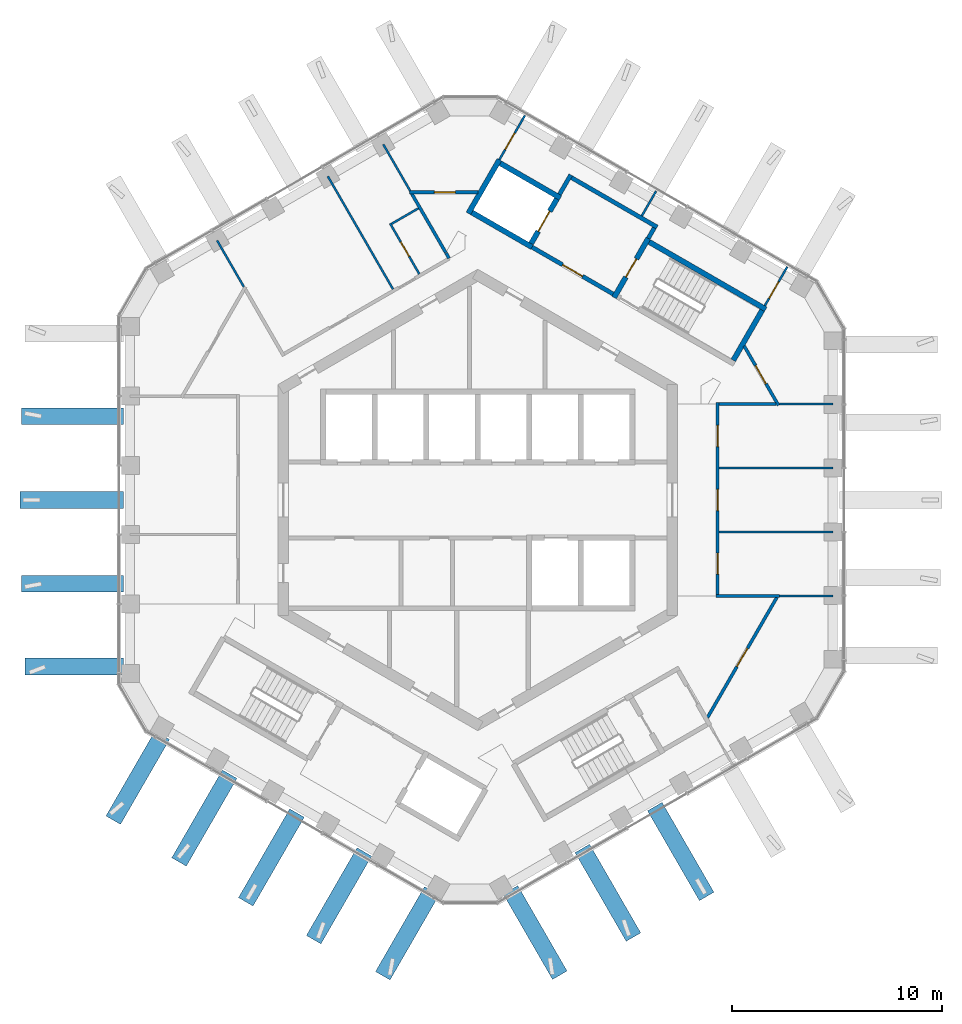
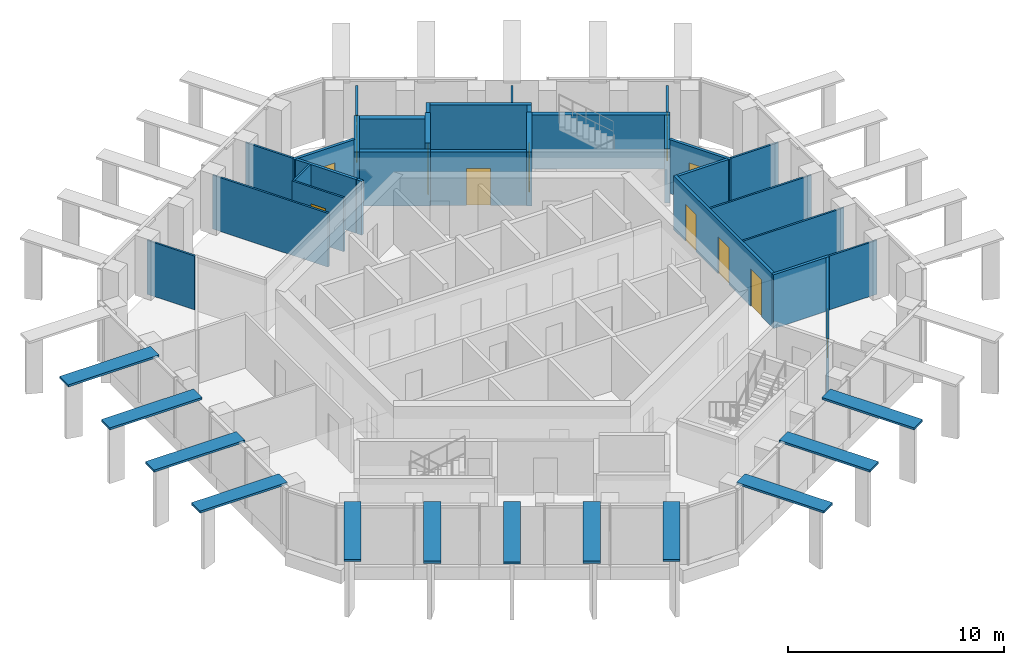
# One storey, part 13 of 18: 31 walls, 12 discrete accessories, 12 doors, 12 openings.
"""IFC4 building model written with IfcOpenShell, lengths in metres."""

from ifc_helpers import new_model, si_unit, direction, frame, frame_2d, origin, origin_2d, place, context, subcontext, project, spatial, rectangle, extrude, material, layer, layer_set, type_object, element, fill, save


model = new_model("IFC4")

# Units and contexts
model_context = context("Model", 3, precision=1e-05, world=origin(), true_north=direction((0.0, 1.0)))
body_context = subcontext(model_context, "Body", "Model", "MODEL_VIEW")
ifc_project = project(units=[si_unit("LENGTHUNIT", "METRE"), si_unit("AREAUNIT", "SQUARE_METRE"), si_unit("VOLUMEUNIT", "CUBIC_METRE"), si_unit("PLANEANGLEUNIT", "RADIAN"), si_unit("MASSUNIT", "GRAM", prefix="KILO")], contexts=[model_context])

# Site, building, storey
site_placement = place(None, origin())
site = spatial("IfcSite", under=ifc_project, at=site_placement, CompositionType="ELEMENT")
building_placement = place(site_placement, origin())
building = spatial("IfcBuilding", under=site, at=building_placement, Name="Ayvan Gate Tower", CompositionType="ELEMENT")
storey_placement = place(building_placement, frame((0.0, 0.0, 239.300048828125)))
storey = spatial("IfcBuildingStorey", under=building, at=storey_placement, Name="L64", CompositionType="ELEMENT", Elevation=239.300048828125)

# Wall, opening, door
ifc_material_1 = material(Name="Plasterboard on steel stud", Category="steel")
ifc_layer_1 = layer(ifc_material_1, 0.14990234375)
ifc_layer_set_1 = layer_set([ifc_layer_1], Name="Plasterboard on steel stud")
wall_type_1 = type_object("IfcWallType", Name="WT-CORR-150", PredefinedType="PARTITIONING", material=ifc_layer_set_1)
wall_1_placement = place(storey_placement, frame((-3.251708984375, 14.63037109375, 0.0), z_axis=(0.0, 0.0, 1.0), x_axis=(1.0, 0.0, 0.0)))
wall_1 = element("IfcWall", 1, at=wall_1_placement, inside=storey, type_object=wall_type_1, Name="IW-L64-026", PredefinedType="PARTITIONING", context=body_context, shape_type="SweptSolid", body=[
    extrude(rectangle(XDim=3.259765625, YDim=0.14990234375, at=frame_2d((1.6298828125, 0.0))), origin(), (0.0, 0.0, 1.0), 3.050048828125),
])
opening_1_placement = place(wall_1_placement, frame((1.1845703125, 0.0, 0.0)))
opening_1 = element("IfcOpeningElement", 2, at=opening_1_placement, cuts=wall_1, Name="Opening L64-D27", PredefinedType="OPENING", context=body_context, shape_type="SweptSolid", body=[
    extrude(rectangle(XDim=1.0, YDim=2.10009765625, at=frame_2d((0.5, 1.050048828125))), frame((0.0, 0.0849609375, 0.0), z_axis=(0.0, -1.0, 0.0), x_axis=(1.0, 0.0, 0.0)), (0.0, 0.0, 1.0), 0.169921875),
])
ifc_material_2 = material(Name="Timber door leaf", Category="wood")
door_type_1 = type_object("IfcDoorType", Name="DT-1000", OperationType="NOTDEFINED", PredefinedType="DOOR", material=ifc_material_2)
door_1_placement = place(opening_1_placement, origin())
door_1 = element("IfcDoor", 3, at=door_1_placement, inside=storey, type_object=door_type_1, Name="ID-L64-027", OperationType="SINGLE_SWING_LEFT", OverallHeight=2.10009765625, OverallWidth=1.0, PredefinedType="DOOR", context=body_context, shape_type="SweptSolid", body=[
    extrude(rectangle(XDim=1.0, YDim=2.10009765625, at=frame_2d((0.5, 1.050048828125))), frame((0.0, 0.02490234375, 0.0), z_axis=(0.0, -1.0, 0.0), x_axis=(1.0, 0.0, 0.0)), (0.0, 0.0, 1.0), 0.050048828125),
])
fill(opening_1, door_1)

# Walls
wall_2_placement = place(storey_placement, frame((-3.13916015625, 14.5654296875, 0.0), z_axis=(0.0, 0.0, 1.0), x_axis=(0.4999707335, -0.866042300147, 0.0)))
element("IfcWall", 4, at=wall_2_placement, inside=storey, type_object=wall_type_1, Name="IW-L64-028", PredefinedType="PARTITIONING", context=body_context, shape_type="SweptSolid", body=[
    extrude(rectangle(XDim=3.234619140625, YDim=0.14990234375, at=frame_2d((1.6171875, 0.0))), origin(), (0.0, 0.0, 1.0), 3.050048828125),
])
wall_3_placement = place(storey_placement, frame((-1.511962890625, 11.74658203125, 0.0), z_axis=(0.0, 0.0, 1.0), x_axis=(0.500502949238, -0.865734831114, 0.0)))
element("IfcWall", 5, at=wall_3_placement, inside=storey, type_object=wall_type_1, Name="IW-L64-032", PredefinedType="PARTITIONING", context=body_context, shape_type="SweptSolid", body=[
    extrude(rectangle(XDim=0.288818359375, YDim=0.14990234375, at=frame_2d((0.14453125, 0.0))), origin(), (0.0, 0.0, 1.0), 3.050048828125),
])
wall_4_placement = place(storey_placement, frame((11.324951171875, -4.564208984375, 0.0), z_axis=(0.0, 0.0, 1.0), x_axis=(1.0, 0.0, 0.0)))
element("IfcWall", 6, at=wall_4_placement, inside=storey, type_object=wall_type_1, Name="IW-L64-071", PredefinedType="PARTITIONING", context=body_context, shape_type="SweptSolid", body=[
    extrude(rectangle(XDim=3.008544921875, YDim=0.14990234375, at=frame_2d((1.50439453125, 0.0))), origin(), (0.0, 0.0, 1.0), 3.050048828125),
])

# Wall, openings, doors
wall_5_placement = place(storey_placement, frame((11.39990234375, -4.489013671875, 0.0), z_axis=(0.0, 0.0, 1.0), x_axis=(0.0, 1.0, 0.0)))
wall_5 = element("IfcWall", 7, at=wall_5_placement, inside=storey, type_object=wall_type_1, Name="IW-L64-073", PredefinedType="PARTITIONING", context=body_context, shape_type="SweptSolid", body=[
    extrude(rectangle(XDim=9.128173828125, YDim=0.14990234375, at=frame_2d((4.56396484375, 0.0))), origin(), (0.0, 0.0, 1.0), 3.050048828125),
])
opening_2_placement = place(wall_5_placement, frame((0.968994140625, 0.0, 0.0)))
opening_2 = element("IfcOpeningElement", 8, at=opening_2_placement, cuts=wall_5, Name="Opening L64-D22", PredefinedType="OPENING", context=body_context, shape_type="SweptSolid", body=[
    extrude(rectangle(XDim=1.0, YDim=2.10009765625, at=frame_2d((0.5, 1.050048828125))), frame((0.0, 0.0849609375, 0.0), z_axis=(0.0, -1.0, 0.0), x_axis=(1.0, 0.0, 0.0)), (0.0, 0.0, 1.0), 0.169921875),
])
opening_3_placement = place(wall_5_placement, frame((3.989013671875, 0.0, 0.0)))
opening_3 = element("IfcOpeningElement", 9, at=opening_3_placement, cuts=wall_5, Name="Opening L64-D23", PredefinedType="OPENING", context=body_context, shape_type="SweptSolid", body=[
    extrude(rectangle(XDim=1.0, YDim=2.10009765625, at=frame_2d((0.5, 1.050048828125))), frame((0.0, 0.0849609375, 0.0), z_axis=(0.0, -1.0, 0.0), x_axis=(1.0, 0.0, 0.0)), (0.0, 0.0, 1.0), 0.169921875),
])
opening_4_placement = place(wall_5_placement, frame((7.03173828125, 0.0, 0.0)))
opening_4 = element("IfcOpeningElement", 10, at=opening_4_placement, cuts=wall_5, Name="Opening L64-D24", PredefinedType="OPENING", context=body_context, shape_type="SweptSolid", body=[
    extrude(rectangle(XDim=1.0, YDim=2.10009765625, at=frame_2d((0.5, 1.050048828125))), frame((0.0, 0.0849609375, 0.0), z_axis=(0.0, -1.0, 0.0), x_axis=(1.0, 0.0, 0.0)), (0.0, 0.0, 1.0), 0.169921875),
])
door_2_placement = place(opening_2_placement, origin())
door_2 = element("IfcDoor", 11, at=door_2_placement, inside=storey, type_object=door_type_1, Name="ID-L64-022", OperationType="SINGLE_SWING_RIGHT", OverallHeight=2.10009765625, OverallWidth=1.0, PredefinedType="DOOR", context=body_context, shape_type="SweptSolid", body=[
    extrude(rectangle(XDim=1.0, YDim=2.10009765625, at=frame_2d((0.5, 1.050048828125))), frame((0.0, 0.02490234375, 0.0), z_axis=(0.0, -1.0, 0.0), x_axis=(1.0, 0.0, 0.0)), (0.0, 0.0, 1.0), 0.050048828125),
])
fill(opening_2, door_2)
door_3_placement = place(opening_3_placement, origin())
door_3 = element("IfcDoor", 12, at=door_3_placement, inside=storey, type_object=door_type_1, Name="ID-L64-023", OperationType="SINGLE_SWING_LEFT", OverallHeight=2.10009765625, OverallWidth=1.0, PredefinedType="DOOR", context=body_context, shape_type="SweptSolid", body=[
    extrude(rectangle(XDim=1.0, YDim=2.10009765625, at=frame_2d((0.5, 1.050048828125))), frame((0.0, 0.02490234375, 0.0), z_axis=(0.0, -1.0, 0.0), x_axis=(1.0, 0.0, 0.0)), (0.0, 0.0, 1.0), 0.050048828125),
])
fill(opening_3, door_3)
door_4_placement = place(opening_4_placement, origin())
door_4 = element("IfcDoor", 13, at=door_4_placement, inside=storey, type_object=door_type_1, Name="ID-L64-024", OperationType="SINGLE_SWING_RIGHT", OverallHeight=2.10009765625, OverallWidth=1.0, PredefinedType="DOOR", context=body_context, shape_type="SweptSolid", body=[
    extrude(rectangle(XDim=1.0, YDim=2.10009765625, at=frame_2d((0.5, 1.050048828125))), frame((0.0, 0.02490234375, 0.0), z_axis=(0.0, -1.0, 0.0), x_axis=(1.0, 0.0, 0.0)), (0.0, 0.0, 1.0), 0.050048828125),
])
fill(opening_4, door_4)

# Wall, opening, door
wall_6_placement = place(storey_placement, frame((12.666259765625, 7.322021484375, 0.0), z_axis=(0.0, 0.0, 1.0), x_axis=(0.50000555188, -0.866022198381, 0.0)))
wall_6 = element("IfcWall", 14, at=wall_6_placement, inside=storey, type_object=wall_type_1, Name="IW-L64-077", PredefinedType="PARTITIONING", context=body_context, shape_type="SweptSolid", body=[
    extrude(rectangle(XDim=3.259765625, YDim=0.14990234375, at=frame_2d((1.6298828125, 0.0))), origin(), (0.0, 0.0, 1.0), 3.050048828125),
])
opening_5_placement = place(wall_6_placement, frame((1.074951171875, 0.0, 0.0)))
opening_5 = element("IfcOpeningElement", 15, at=opening_5_placement, cuts=wall_6, Name="Opening L64-D25", PredefinedType="OPENING", context=body_context, shape_type="SweptSolid", body=[
    extrude(rectangle(XDim=1.0, YDim=2.10009765625, at=frame_2d((0.5, 1.050048828125))), frame((0.0, 0.0849609375, 0.0), z_axis=(0.0, -1.0, 0.0), x_axis=(1.0, 0.0, 0.0)), (0.0, 0.0, 1.0), 0.169921875),
])
door_5_placement = place(opening_5_placement, origin())
door_5 = element("IfcDoor", 16, at=door_5_placement, inside=storey, type_object=door_type_1, Name="ID-L64-025", OperationType="SINGLE_SWING_LEFT", OverallHeight=2.10009765625, OverallWidth=1.0, PredefinedType="DOOR", context=body_context, shape_type="SweptSolid", body=[
    extrude(rectangle(XDim=1.0, YDim=2.10009765625, at=frame_2d((0.5, 1.050048828125))), frame((0.0, 0.02490234375, 0.0), z_axis=(0.0, -1.0, 0.0), x_axis=(1.0, 0.0, 0.0)), (0.0, 0.0, 1.0), 0.050048828125),
])
fill(opening_5, door_5)

# Wall
wall_7_placement = place(storey_placement, frame((14.18359375, 4.564208984375, 0.0), z_axis=(0.0, 0.0, 1.0), x_axis=(-1.0, 0.0, 0.0)))
element("IfcWall", 17, at=wall_7_placement, inside=storey, type_object=wall_type_1, Name="IW-L64-080", PredefinedType="PARTITIONING", context=body_context, shape_type="SweptSolid", body=[
    extrude(rectangle(XDim=2.708740234375, YDim=0.14990234375, at=frame_2d((1.3544921875, 0.0))), origin(), (0.0, 0.0, 1.0), 3.050048828125),
])

# Wall, opening, door
wall_8_placement = place(storey_placement, frame((14.22119140625, -4.62890625, 0.0), z_axis=(0.0, 0.0, 1.0), x_axis=(-0.500010679957, -0.86601923762, 0.0)))
wall_8 = element("IfcWall", 18, at=wall_8_placement, inside=storey, type_object=wall_type_1, Name="IW-L64-082", PredefinedType="PARTITIONING", context=body_context, shape_type="SweptSolid", body=[
    extrude(rectangle(XDim=6.598876953125, YDim=0.14990234375, at=frame_2d((3.29931640625, 0.0))), origin(), (0.0, 0.0, 1.0), 3.050048828125),
])
opening_6_placement = place(wall_8_placement, frame((2.79931640625, 0.0, 0.0)))
opening_6 = element("IfcOpeningElement", 19, at=opening_6_placement, cuts=wall_8, Name="Opening L64-D32", PredefinedType="OPENING", context=body_context, shape_type="SweptSolid", body=[
    extrude(rectangle(XDim=1.0, YDim=2.10009765625, at=frame_2d((0.5, 1.050048828125))), frame((0.0, 0.0849609375, 0.0), z_axis=(0.0, -1.0, 0.0), x_axis=(1.0, 0.0, 0.0)), (0.0, 0.0, 1.0), 0.169921875),
])
door_6_placement = place(opening_6_placement, origin())
door_6 = element("IfcDoor", 20, at=door_6_placement, inside=storey, type_object=door_type_1, Name="ID-L64-032", OperationType="SINGLE_SWING_RIGHT", OverallHeight=2.10009765625, OverallWidth=1.0, PredefinedType="DOOR", context=body_context, shape_type="SweptSolid", body=[
    extrude(rectangle(XDim=1.0, YDim=2.10009765625, at=frame_2d((0.5, 1.050048828125))), frame((0.0, 0.02490234375, 0.0), z_axis=(0.0, -1.0, 0.0), x_axis=(1.0, 0.0, 0.0)), (0.0, 0.0, 1.0), 0.050048828125),
])
fill(opening_6, door_6)

# Wall
ifc_layer_2 = layer(ifc_material_1, 0.10009765625)
ifc_layer_set_2 = layer_set([ifc_layer_2], Name="Plasterboard on steel stud")
wall_type_2 = type_object("IfcWallType", Name="WT-PART-100", PredefinedType="PARTITIONING", material=ifc_layer_set_2)
wall_9_placement = place(storey_placement, frame((-12.396240234375, 12.343017578125, 0.0), z_axis=(0.0, 0.0, 1.0), x_axis=(0.499943114462, -0.866058244174, 0.0)))
element("IfcWall", 21, at=wall_9_placement, inside=storey, type_object=wall_type_2, Name="IW-L64-003", PredefinedType="PARTITIONING", context=body_context, shape_type="SweptSolid", body=[
    extrude(rectangle(XDim=2.553955078125, YDim=0.10009765625, at=frame_2d((1.27685546875, 0.0))), origin(), (0.0, 0.0, 1.0), 3.050048828125),
])

# Wall, opening, door
wall_10_placement = place(storey_placement, frame((-4.16796875, 13.1474609375, 0.0), z_axis=(0.0, 0.0, 1.0), x_axis=(0.499971228071, -0.866042014628, 0.0)))
wall_10 = element("IfcWall", 22, at=wall_10_placement, inside=storey, type_object=wall_type_2, Name="IW-L64-020", PredefinedType="PARTITIONING", context=body_context, shape_type="SweptSolid", body=[
    extrude(rectangle(XDim=2.775146484375, YDim=0.10009765625, at=frame_2d((1.3876953125, 0.0))), origin(), (0.0, 0.0, 1.0), 3.050048828125),
])
opening_7_placement = place(wall_10_placement, frame((1.012451171875, 0.0, 0.0)))
opening_7 = element("IfcOpeningElement", 23, at=opening_7_placement, cuts=wall_10, Name="Opening L64-D35", PredefinedType="OPENING", context=body_context, shape_type="SweptSolid", body=[
    extrude(rectangle(XDim=0.800048828125, YDim=2.10009765625, at=frame_2d((0.39990234375, 1.050048828125))), frame((0.0, 0.06005859375, 0.0), z_axis=(0.0, -1.0, 0.0), x_axis=(1.0, 0.0, 0.0)), (0.0, 0.0, 1.0), 0.1201171875),
])
door_type_2 = type_object("IfcDoorType", Name="DT-800", OperationType="NOTDEFINED", PredefinedType="DOOR", material=ifc_material_2)
door_7_placement = place(opening_7_placement, origin())
door_7 = element("IfcDoor", 24, at=door_7_placement, inside=storey, type_object=door_type_2, Name="ID-L64-035", OperationType="SINGLE_SWING_LEFT", OverallHeight=2.10009765625, OverallWidth=0.800048828125, PredefinedType="DOOR", context=body_context, shape_type="SweptSolid", body=[
    extrude(rectangle(XDim=0.800048828125, YDim=2.10009765625, at=frame_2d((0.39990234375, 1.050048828125))), frame((0.0, 0.02490234375, 0.0), z_axis=(0.0, -1.0, 0.0), x_axis=(1.0, 0.0, 0.0)), (0.0, 0.0, 1.0), 0.050048828125),
])
fill(opening_7, door_7)

# Walls
wall_11_placement = place(storey_placement, frame((-4.030029296875, 10.022705078125, 0.0), z_axis=(0.0, 0.0, 1.0), x_axis=(-0.499980681017, 0.866036557317, 0.0)))
element("IfcWall", 25, at=wall_11_placement, inside=storey, type_object=wall_type_2, Name="IW-L64-022", PredefinedType="PARTITIONING", context=body_context, shape_type="SweptSolid", body=[
    extrude(rectangle(XDim=6.192626953125, YDim=0.10009765625, at=frame_2d((3.09619140625, 0.0))), origin(), (0.0, 0.0, 1.0), 3.050048828125),
])
wall_12_placement = place(storey_placement, frame((-3.214111328125, 14.6953125, 0.0), z_axis=(0.0, 0.0, 1.0), x_axis=(-0.500056202316, 0.865992952931, 0.0)))
element("IfcWall", 26, at=wall_12_placement, inside=storey, type_object=wall_type_2, Name="IW-L64-025", PredefinedType="PARTITIONING", context=body_context, shape_type="SweptSolid", body=[
    extrude(rectangle(XDim=2.553955078125, YDim=0.10009765625, at=frame_2d((1.27685546875, 0.0))), origin(), (0.0, 0.0, 1.0), 3.050048828125),
])
wall_13_placement = place(storey_placement, frame((-2.822509765625, 13.86669921875, 0.0), z_axis=(0.0, 0.0, 1.0), x_axis=(-0.865962262849, -0.500109347365, 0.0)))
element("IfcWall", 27, at=wall_13_placement, inside=storey, type_object=wall_type_2, Name="IW-L64-027", PredefinedType="PARTITIONING", context=body_context, shape_type="SweptSolid", body=[
    extrude(rectangle(XDim=1.474853515625, YDim=0.10009765625, at=frame_2d((0.7373046875, 0.0))), origin(), (0.0, 0.0, 1.0), 3.050048828125),
])

# Wall, opening, door
wall_14_placement = place(storey_placement, frame((2.24072265625, 18.28125, 0.0), z_axis=(0.0, 0.0, 1.0), x_axis=(-0.499957519001, -0.866049928811, 0.0)))
wall_14 = element("IfcWall", 28, at=wall_14_placement, inside=storey, type_object=wall_type_2, Name="IW-L64-042", PredefinedType="PARTITIONING", context=body_context, shape_type="SweptSolid", body=[
    extrude(rectangle(XDim=2.427490234375, YDim=0.10009765625, at=frame_2d((1.2138671875, 0.0))), origin(), (0.0, 0.0, 1.0), 3.050048828125),
])
opening_8_placement = place(wall_14_placement, frame((0.974365234375, 0.0, 0.0)))
opening_8 = element("IfcOpeningElement", 29, at=opening_8_placement, cuts=wall_14, Name="Opening L64-D28", PredefinedType="OPENING", context=body_context, shape_type="SweptSolid", body=[
    extrude(rectangle(XDim=0.89990234375, YDim=2.10009765625, at=frame_2d((0.449951171875, 1.050048828125))), frame((0.0, 0.06005859375, 0.0), z_axis=(0.0, -1.0, 0.0), x_axis=(1.0, 0.0, 0.0)), (0.0, 0.0, 1.0), 0.1201171875),
])
door_type_3 = type_object("IfcDoorType", Name="DT-900", OperationType="NOTDEFINED", PredefinedType="DOOR", material=ifc_material_2)
door_8_placement = place(opening_8_placement, origin())
door_8 = element("IfcDoor", 30, at=door_8_placement, inside=storey, type_object=door_type_3, Name="ID-L64-028", OperationType="SINGLE_SWING_RIGHT", OverallHeight=2.10009765625, OverallWidth=0.89990234375, PredefinedType="DOOR", context=body_context, shape_type="SweptSolid", body=[
    extrude(rectangle(XDim=0.89990234375, YDim=2.10009765625, at=frame_2d((0.449951171875, 1.050048828125))), frame((0.0, 0.02490234375, 0.0), z_axis=(0.0, -1.0, 0.0), x_axis=(1.0, 0.0, 0.0)), (0.0, 0.0, 1.0), 0.050048828125),
])
fill(opening_8, door_8)

# Walls
wall_15_placement = place(storey_placement, frame((7.800048828125, 13.510009765625, 0.0), z_axis=(0.0, 0.0, 1.0), x_axis=(0.500061029496, 0.865990165521, 0.0)))
element("IfcWall", 31, at=wall_15_placement, inside=storey, type_object=wall_type_2, Name="IW-L64-064", PredefinedType="PARTITIONING", context=body_context, shape_type="SweptSolid", body=[
    extrude(rectangle(XDim=1.352294921875, YDim=0.10009765625, at=frame_2d((0.67626953125, 0.0))), origin(), (0.0, 0.0, 1.0), 3.050048828125),
])
for number, where, z_axis, x_axis, name in (
    (32, (11.47509765625, -1.521484375, 0.0), (0.0, 0.0, 1.0), (1.0, 0.0, 0.0), "IW-L64-072"),
    (33, (11.47509765625, 1.521484375, 0.0), (0.0, 0.0, 1.0), (1.0, 0.0, 0.0), "IW-L64-074"),
):
    element("IfcWall", number, at=place(storey_placement, frame(where, z_axis=z_axis, x_axis=x_axis)), inside=storey, type_object=wall_type_2, Name=name, PredefinedType="PARTITIONING", context=body_context, shape_type="SweptSolid", body=[
        extrude(rectangle(XDim=5.412353515625, YDim=0.10009765625, at=frame_2d((2.7060546875, 0.0))), origin(), (0.0, 0.0, 1.0), 3.050048828125),
    ])

# Wall, opening, door
wall_16_placement = place(storey_placement, frame((13.647705078125, 9.23876953125, 0.0), z_axis=(0.0, 0.0, 1.0), x_axis=(0.500063469175, 0.865988756738, 0.0)))
wall_16 = element("IfcWall", 34, at=wall_16_placement, inside=storey, type_object=wall_type_2, Name="IW-L64-079", PredefinedType="PARTITIONING", context=body_context, shape_type="SweptSolid", body=[
    extrude(rectangle(XDim=2.127685546875, YDim=0.10009765625, at=frame_2d((1.06396484375, 0.0))), origin(), (0.0, 0.0, 1.0), 3.050048828125),
])
opening_9_placement = place(wall_16_placement, frame((0.4033203125, 0.0, 0.0)))
opening_9 = element("IfcOpeningElement", 35, at=opening_9_placement, cuts=wall_16, Name="Opening L64-D26", PredefinedType="OPENING", context=body_context, shape_type="SweptSolid", body=[
    extrude(rectangle(XDim=0.89990234375, YDim=2.10009765625, at=frame_2d((0.449951171875, 1.050048828125))), frame((0.0, 0.06005859375, 0.0), z_axis=(0.0, -1.0, 0.0), x_axis=(1.0, 0.0, 0.0)), (0.0, 0.0, 1.0), 0.1201171875),
])
door_9_placement = place(opening_9_placement, origin())
door_9 = element("IfcDoor", 36, at=door_9_placement, inside=storey, type_object=door_type_3, Name="ID-L64-026", OperationType="SINGLE_SWING_RIGHT", OverallHeight=2.10009765625, OverallWidth=0.89990234375, PredefinedType="DOOR", context=body_context, shape_type="SweptSolid", body=[
    extrude(rectangle(XDim=0.89990234375, YDim=2.10009765625, at=frame_2d((0.449951171875, 1.050048828125))), frame((0.0, 0.02490234375, 0.0), z_axis=(0.0, -1.0, 0.0), x_axis=(1.0, 0.0, 0.0)), (0.0, 0.0, 1.0), 0.050048828125),
])
fill(opening_9, door_9)

# Walls
for number, where, z_axis, x_axis, name in (
    (37, (14.33349609375, 4.564208984375, 0.0), (0.0, 0.0, 1.0), (1.0, 0.0, 0.0), "IW-L64-081"),
    (38, (16.887451171875, -4.564208984375, 0.0), (0.0, 0.0, 1.0), (-1.0, 0.0, 0.0), "IW-L64-083"),
):
    element("IfcWall", number, at=place(storey_placement, frame(where, z_axis=z_axis, x_axis=x_axis)), inside=storey, type_object=wall_type_2, Name=name, PredefinedType="PARTITIONING", context=body_context, shape_type="SweptSolid", body=[
        extrude(rectangle(XDim=2.553955078125, YDim=0.10009765625, at=frame_2d((1.27685546875, 0.0))), origin(), (0.0, 0.0, 1.0), 3.050048828125),
    ])
ifc_layer_3 = layer(ifc_material_1, 0.199951171875)
ifc_layer_set_3 = layer_set([ifc_layer_3], Name="Plasterboard on steel stud")
wall_type_3 = type_object("IfcWallType", Name="WT-RATED-200", PredefinedType="PARTITIONING", material=ifc_layer_set_3)
wall_17_placement = place(storey_placement, frame((3.885009765625, 14.52880859375, 0.0), z_axis=(0.0, 0.0, 1.0), x_axis=(0.499997628298, 0.866026773083, 0.0)))
element("IfcWall", 39, at=wall_17_placement, inside=storey, type_object=wall_type_3, Name="IW-L64-050", PredefinedType="PARTITIONING", context=body_context, shape_type="SweptSolid", body=[
    extrude(rectangle(XDim=1.0751953125, YDim=0.199951171875, at=frame_2d((0.53759765625, 0.0))), origin(), (0.0, 0.0, 1.0), 3.050048828125),
])
wall_18_placement = place(storey_placement, frame((4.458984375, 15.323486328125, 0.0), z_axis=(0.0, 0.0, 1.0), x_axis=(0.866016039709, -0.500016218704, 0.0)))
element("IfcWall", 40, at=wall_18_placement, inside=storey, type_object=wall_type_3, Name="IW-L64-051", PredefinedType="PARTITIONING", context=body_context, shape_type="SweptSolid", body=[
    extrude(rectangle(XDim=4.699951171875, YDim=0.199951171875, at=frame_2d((2.35009765625, 0.0))), origin(), (0.0, 0.0, 1.0), 3.050048828125),
])

# Wall, opening, door
wall_19_placement = place(storey_placement, frame((6.4345703125, 9.794921875, 0.0), z_axis=(0.0, 0.0, 1.0), x_axis=(-0.866012907634, 0.500021643343, 0.0)))
wall_19 = element("IfcWall", 41, at=wall_19_placement, inside=storey, type_object=wall_type_3, Name="IW-L64-056", PredefinedType="PARTITIONING", context=body_context, shape_type="SweptSolid", body=[
    extrude(rectangle(XDim=4.449951171875, YDim=0.199951171875, at=frame_2d((2.22509765625, 0.0))), origin(), (0.0, 0.0, 1.0), 3.050048828125),
])
opening_10_placement = place(wall_19_placement, frame((1.675048828125, 0.0, 0.0)))
opening_10 = element("IfcOpeningElement", 42, at=opening_10_placement, cuts=wall_19, Name="Opening L64-D13", PredefinedType="OPENING", context=body_context, shape_type="SweptSolid", body=[
    extrude(rectangle(XDim=1.10009765625, YDim=2.10009765625, at=frame_2d((0.550048828125, 1.050048828125))), frame((0.0, 0.10986328125, 0.0), z_axis=(0.0, -1.0, 0.0), x_axis=(1.0, 0.0, 0.0)), (0.0, 0.0, 1.0), 0.219970703125),
])
door_type_4 = type_object("IfcDoorType", Name="DT-1100", OperationType="NOTDEFINED", PredefinedType="DOOR", material=ifc_material_2)
door_10_placement = place(opening_10_placement, origin())
door_10 = element("IfcDoor", 43, at=door_10_placement, inside=storey, type_object=door_type_4, Name="ID-L64-013", OperationType="SINGLE_SWING_LEFT", OverallHeight=2.10009765625, OverallWidth=1.10009765625, PredefinedType="DOOR", context=body_context, shape_type="SweptSolid", body=[
    extrude(rectangle(XDim=1.10009765625, YDim=2.10009765625, at=frame_2d((0.550048828125, 1.050048828125))), frame((0.0, 0.02490234375, 0.0), z_axis=(0.0, -1.0, 0.0), x_axis=(1.0, 0.0, 0.0)), (0.0, 0.0, 1.0), 0.050048828125),
])
fill(opening_10, door_10)

# Walls
wall_20_placement = place(storey_placement, frame((8.392822265625, 12.936767578125, 0.0), z_axis=(0.0, 0.0, 1.0), x_axis=(-0.500065409566, -0.86598763626, 0.0)))
element("IfcWall", 44, at=wall_20_placement, inside=storey, type_object=wall_type_3, Name="IW-L64-066", PredefinedType="PARTITIONING", context=body_context, shape_type="SweptSolid", body=[
    extrude(rectangle(XDim=0.5751953125, YDim=0.199951171875, at=frame_2d((0.28759765625, 0.0))), origin(), (0.0, 0.0, 1.0), 3.050048828125),
])
ifc_material_3 = material(Name="Concrete C50/60", Category="concrete")
ifc_layer_4 = layer(ifc_material_3, 0.25)
ifc_layer_set_4 = layer_set([ifc_layer_4], Name="Concrete C50/60")
wall_type_4 = type_object("IfcWallType", Name="WT-RC-250", PredefinedType="SHEAR", material=ifc_layer_set_4)
wall_21_placement = place(storey_placement, frame((-0.447998046875, 13.624267578125, 0.0), z_axis=(0.0, 0.0, 1.0), x_axis=(0.500037662692, 0.866003658127, 0.0)))
element("IfcWall", 45, at=wall_21_placement, inside=storey, type_object=wall_type_4, Name="IW-L64-037", PredefinedType="SHEAR", context=body_context, shape_type="SweptSolid", body=[
    extrude(rectangle(XDim=2.949951171875, YDim=0.25, at=frame_2d((1.47509765625, 0.0))), origin(), (0.0, 0.0, 1.0), 3.050048828125),
])
for number, where, z_axis, x_axis, name in (
    (46, (1.072998046875, 16.00830078125, 0.0), (0.0, 0.0, 1.0), (0.866040211805, -0.499974350878, 0.0), "IW-L64-040"),
    (47, (2.580810546875, 12.02001953125, 0.0), (0.0, 0.0, 1.0), (-0.866040211805, 0.499974350878, 0.0), "IW-L64-046"),
):
    element("IfcWall", number, at=place(storey_placement, frame(where, z_axis=z_axis, x_axis=x_axis)), inside=storey, type_object=wall_type_4, Name=name, PredefinedType="SHEAR", context=body_context, shape_type="SweptSolid", body=[
        extrude(rectangle(XDim=3.300048828125, YDim=0.25, at=frame_2d((1.64990234375, 0.0))), origin(), (0.0, 0.0, 1.0), 3.050048828125),
    ])

# Wall, opening, door
wall_22_placement = place(storey_placement, frame((2.534912109375, 12.19091796875, 0.0), z_axis=(0.0, 0.0, 1.0), x_axis=(0.500061746146, 0.865989751695, 0.0)))
wall_22 = element("IfcWall", 48, at=wall_22_placement, inside=storey, type_object=wall_type_4, Name="IW-L64-047", PredefinedType="SHEAR", context=body_context, shape_type="SweptSolid", body=[
    extrude(rectangle(XDim=2.449951171875, YDim=0.25, at=frame_2d((1.22509765625, 0.0))), origin(), (0.0, 0.0, 1.0), 3.39990234375),
])
opening_11_placement = place(wall_22_placement, frame((0.675048828125, 0.0, 0.0)))
opening_11 = element("IfcOpeningElement", 49, at=opening_11_placement, cuts=wall_22, Name="Opening L64-LD-FF1", PredefinedType="OPENING", context=body_context, shape_type="SweptSolid", body=[
    extrude(rectangle(XDim=1.10009765625, YDim=2.10009765625, at=frame_2d((0.550048828125, 1.050048828125))), frame((0.0, 0.135009765625, 0.0), z_axis=(0.0, -1.0, 0.0), x_axis=(1.0, 0.0, 0.0)), (0.0, 0.0, 1.0), 0.27001953125),
])
ifc_material_4 = material(Name="Stainless steel landing door", Category="steel")
door_type_5 = type_object("IfcDoorType", Name="DT-LANDING-1100", OperationType="SLIDING_TO_LEFT", PredefinedType="DOOR", material=ifc_material_4)
door_11_placement = place(opening_11_placement, origin())
door_11 = element("IfcDoor", 50, at=door_11_placement, inside=storey, type_object=door_type_5, Name="ID-L64-014", OperationType="SLIDING_TO_LEFT", OverallHeight=2.10009765625, OverallWidth=1.10009765625, PredefinedType="DOOR", context=body_context, shape_type="SweptSolid", body=[
    extrude(rectangle(XDim=1.10009765625, YDim=2.10009765625, at=frame_2d((0.550048828125, 1.050048828125))), frame((0.0, 0.02490234375, 0.0), z_axis=(0.0, -1.0, 0.0), x_axis=(1.0, 0.0, 0.0)), (0.0, 0.0, 1.0), 0.050048828125),
])
fill(opening_11, door_11)

wall_23_placement = place(storey_placement, frame((6.480224609375, 9.624267578125, 0.0), z_axis=(0.0, 0.0, 1.0), x_axis=(0.500017246033, 0.866015446554, 0.0)))
wall_23 = element("IfcWall", 51, at=wall_23_placement, inside=storey, type_object=wall_type_4, Name="IW-L64-057", PredefinedType="SHEAR", context=body_context, shape_type="SweptSolid", body=[
    extrude(rectangle(XDim=3.25, YDim=0.25, at=frame_2d((1.625, 0.0))), origin(), (0.0, 0.0, 1.0), 3.050048828125),
])
opening_12_placement = place(wall_23_placement, frame((1.125, 0.0, 0.0)))
opening_12 = element("IfcOpeningElement", 52, at=opening_12_placement, cuts=wall_23, Name="Opening L64-D12", PredefinedType="OPENING", context=body_context, shape_type="SweptSolid", body=[
    extrude(rectangle(XDim=1.0, YDim=2.10009765625, at=frame_2d((0.5, 1.050048828125))), frame((0.0, 0.135009765625, 0.0), z_axis=(0.0, -1.0, 0.0), x_axis=(1.0, 0.0, 0.0)), (0.0, 0.0, 1.0), 0.27001953125),
])
door_12_placement = place(opening_12_placement, origin())
door_12 = element("IfcDoor", 53, at=door_12_placement, inside=storey, type_object=door_type_1, Name="ID-L64-012", OperationType="SINGLE_SWING_RIGHT", OverallHeight=2.10009765625, OverallWidth=1.0, PredefinedType="DOOR", context=body_context, shape_type="SweptSolid", body=[
    extrude(rectangle(XDim=1.0, YDim=2.10009765625, at=frame_2d((0.5, 1.050048828125))), frame((0.0, 0.02490234375, 0.0), z_axis=(0.0, -1.0, 0.0), x_axis=(1.0, 0.0, 0.0)), (0.0, 0.0, 1.0), 0.050048828125),
])
fill(opening_12, door_12)

# Walls
wall_24_placement = place(storey_placement, frame((8.151123046875, 12.26806640625, 0.0), z_axis=(0.0, 0.0, 1.0), x_axis=(0.866025499775, -0.499999833739, 0.0)))
element("IfcWall", 54, at=wall_24_placement, inside=storey, type_object=wall_type_4, Name="IW-L64-065", PredefinedType="SHEAR", context=body_context, shape_type="SweptSolid", body=[
    extrude(rectangle(XDim=6.39990234375, YDim=0.25, at=frame_2d((3.199951171875, 0.0))), origin(), (0.0, 0.0, 1.0), 3.050048828125),
])
wall_25_placement = place(storey_placement, frame((12.14794921875, 6.640869140625, 0.0), z_axis=(0.0, 0.0, 1.0), x_axis=(0.500034990121, 0.866005201286, 0.0)))
element("IfcWall", 55, at=wall_25_placement, inside=storey, type_object=wall_type_4, Name="IW-L64-078", PredefinedType="SHEAR", context=body_context, shape_type="SweptSolid", body=[
    extrude(rectangle(XDim=2.749755859375, YDim=0.25, at=frame_2d((1.375, 0.0))), origin(), (0.0, 0.0, 1.0), 3.050048828125),
])

# Discrete accessories
ifc_material_5 = material(Name="Stainless steel 316", Category="steel")
ifc_layer_5 = layer(ifc_material_5, 0.1201171875)
ifc_layer_set_5 = layer_set([ifc_layer_5], Name="Stainless steel 316")
discrete_accessory_type = type_object("IfcDiscreteAccessoryType", Name="Fin carrier bracket", PredefinedType="BRACKET", material=ifc_layer_set_5)
discrete_accessory_1_placement = place(storey_placement, frame((-19.174072265625, -7.919921875, 3.27978515625), z_axis=(0.0, 0.0, 1.0), x_axis=(0.0, -1.0, 0.0)))
element("IfcDiscreteAccessory", 56, at=discrete_accessory_1_placement, inside=storey, type_object=discrete_accessory_type, Name="Fin carrier 152", PredefinedType="BRACKET", context=body_context, shape_type="SweptSolid", body=[
    extrude(rectangle(XDim=0.800048828125, YDim=4.685302734375, at=origin_2d()), origin(), (0.0, 0.0, 1.0), 0.1201171875),
])
discrete_accessory_2_placement = place(storey_placement, frame((-19.2646484375, -3.979248046875, 3.27978515625), z_axis=(0.0, 0.0, 1.0), x_axis=(0.0, -1.0, 0.0)))
element("IfcDiscreteAccessory", 57, at=discrete_accessory_2_placement, inside=storey, type_object=discrete_accessory_type, Name="Fin carrier 160", PredefinedType="BRACKET", context=body_context, shape_type="SweptSolid", body=[
    extrude(rectangle(XDim=0.800048828125, YDim=4.8662109375, at=origin_2d()), origin(), (0.0, 0.0, 1.0), 0.1201171875),
])
discrete_accessory_3_placement = place(storey_placement, frame((-19.297607421875, -0.000244140625, 3.27978515625), z_axis=(0.0, 0.0, 1.0), x_axis=(0.0, -1.0, 0.0)))
element("IfcDiscreteAccessory", 58, at=discrete_accessory_3_placement, inside=storey, type_object=discrete_accessory_type, Name="Fin carrier 169", PredefinedType="BRACKET", context=body_context, shape_type="SweptSolid", body=[
    extrude(rectangle(XDim=0.800048828125, YDim=4.932373046875, at=origin_2d()), origin(), (0.0, 0.0, 1.0), 0.1201171875),
])
discrete_accessory_4_placement = place(storey_placement, frame((-19.2646484375, 3.97900390625, 3.27978515625), z_axis=(0.0, 0.0, 1.0), x_axis=(0.0, -1.0, 0.0)))
element("IfcDiscreteAccessory", 59, at=discrete_accessory_4_placement, inside=storey, type_object=discrete_accessory_type, Name="Fin carrier 177", PredefinedType="BRACKET", context=body_context, shape_type="SweptSolid", body=[
    extrude(rectangle(XDim=0.800048828125, YDim=4.8662109375, at=origin_2d()), origin(), (0.0, 0.0, 1.0), 0.1201171875),
])
discrete_accessory_5_placement = place(storey_placement, frame((-16.166259765625, -13.203857421875, 3.27978515625), z_axis=(0.0, 0.0, 1.0), x_axis=(0.866025403784, -0.5, 0.0)))
element("IfcDiscreteAccessory", 60, at=discrete_accessory_5_placement, inside=storey, type_object=discrete_accessory_type, Name="Fin carrier 230", PredefinedType="BRACKET", context=body_context, shape_type="SweptSolid", body=[
    extrude(rectangle(XDim=0.800048828125, YDim=4.660888671875, at=origin_2d()), origin(), (0.0, 0.0, 1.0), 0.1201171875),
])
discrete_accessory_6_placement = place(storey_placement, frame((-12.998779296875, -15.122802734375, 3.27978515625), z_axis=(0.0, 0.0, 1.0), x_axis=(0.866025403784, -0.5, 0.0)))
element("IfcDiscreteAccessory", 61, at=discrete_accessory_6_placement, inside=storey, type_object=discrete_accessory_type, Name="Fin carrier 295", PredefinedType="BRACKET", context=body_context, shape_type="SweptSolid", body=[
    extrude(rectangle(XDim=0.800048828125, YDim=4.8173828125, at=origin_2d()), origin(), (0.0, 0.0, 1.0), 0.1201171875),
])
discrete_accessory_7_placement = place(storey_placement, frame((-9.81201171875, -16.994873046875, 3.27978515625), z_axis=(0.0, 0.0, 1.0), x_axis=(0.866025403784, -0.5, 0.0)))
element("IfcDiscreteAccessory", 62, at=discrete_accessory_7_placement, inside=storey, type_object=discrete_accessory_type, Name="Fin carrier 359", PredefinedType="BRACKET", context=body_context, shape_type="SweptSolid", body=[
    extrude(rectangle(XDim=0.800048828125, YDim=4.873046875, at=origin_2d()), origin(), (0.0, 0.0, 1.0), 0.1201171875),
])
discrete_accessory_8_placement = place(storey_placement, frame((-6.597412109375, -18.81884765625, 3.27978515625), z_axis=(0.0, 0.0, 1.0), x_axis=(0.866025403784, -0.5, 0.0)))
element("IfcDiscreteAccessory", 63, at=discrete_accessory_8_placement, inside=storey, type_object=discrete_accessory_type, Name="Fin carrier 423", PredefinedType="BRACKET", context=body_context, shape_type="SweptSolid", body=[
    extrude(rectangle(XDim=0.800048828125, YDim=4.8173828125, at=origin_2d()), origin(), (0.0, 0.0, 1.0), 0.1201171875),
])
discrete_accessory_9_placement = place(storey_placement, frame((-3.3515625, -20.602294921875, 3.27978515625), z_axis=(0.0, 0.0, 1.0), x_axis=(0.866025403784, -0.5, 0.0)))
element("IfcDiscreteAccessory", 64, at=discrete_accessory_9_placement, inside=storey, type_object=discrete_accessory_type, Name="Fin carrier 485", PredefinedType="BRACKET", context=body_context, shape_type="SweptSolid", body=[
    extrude(rectangle(XDim=0.800048828125, YDim=4.660888671875, at=origin_2d()), origin(), (0.0, 0.0, 1.0), 0.1201171875),
])
discrete_accessory_10_placement = place(storey_placement, frame((2.728271484375, -20.565185546875, 3.27978515625), z_axis=(0.0, 0.0, 1.0), x_axis=(0.866025403784, 0.5, 0.0)))
element("IfcDiscreteAccessory", 65, at=discrete_accessory_10_placement, inside=storey, type_object=discrete_accessory_type, Name="Fin carrier 543", PredefinedType="BRACKET", context=body_context, shape_type="SweptSolid", body=[
    extrude(rectangle(XDim=0.800048828125, YDim=4.685302734375, at=origin_2d()), origin(), (0.0, 0.0, 1.0), 0.1201171875),
])
discrete_accessory_11_placement = place(storey_placement, frame((6.1865234375, -18.673095703125, 3.27978515625), z_axis=(0.0, 0.0, 1.0), x_axis=(0.866025403784, 0.5, 0.0)))
element("IfcDiscreteAccessory", 66, at=discrete_accessory_11_placement, inside=storey, type_object=discrete_accessory_type, Name="Fin carrier 603", PredefinedType="BRACKET", context=body_context, shape_type="SweptSolid", body=[
    extrude(rectangle(XDim=0.800048828125, YDim=4.8662109375, at=origin_2d()), origin(), (0.0, 0.0, 1.0), 0.1201171875),
])
discrete_accessory_12_placement = place(storey_placement, frame((9.64892578125, -16.712158203125, 3.27978515625), z_axis=(0.0, 0.0, 1.0), x_axis=(0.866025403784, 0.5, 0.0)))
element("IfcDiscreteAccessory", 67, at=discrete_accessory_12_placement, inside=storey, type_object=discrete_accessory_type, Name="Fin carrier 665", PredefinedType="BRACKET", context=body_context, shape_type="SweptSolid", body=[
    extrude(rectangle(XDim=0.800048828125, YDim=4.932373046875, at=origin_2d()), origin(), (0.0, 0.0, 1.0), 0.1201171875),
])

save(model, "model.ifc")
